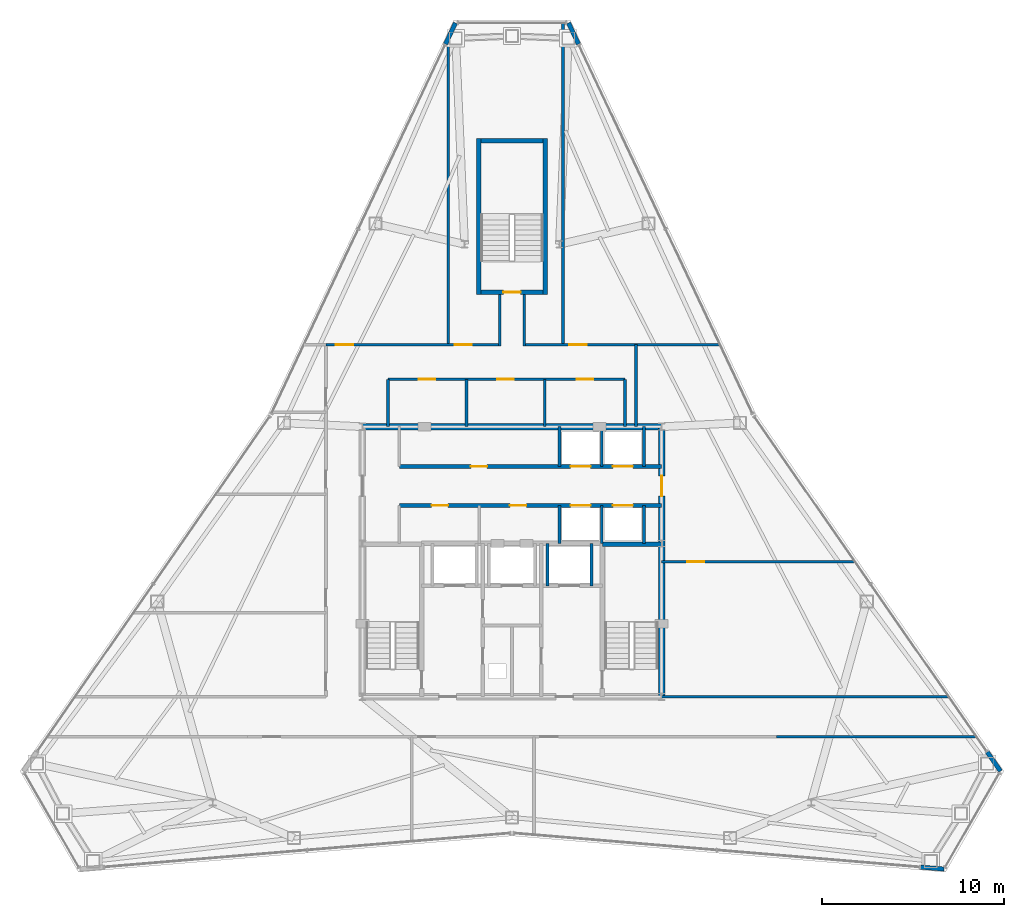
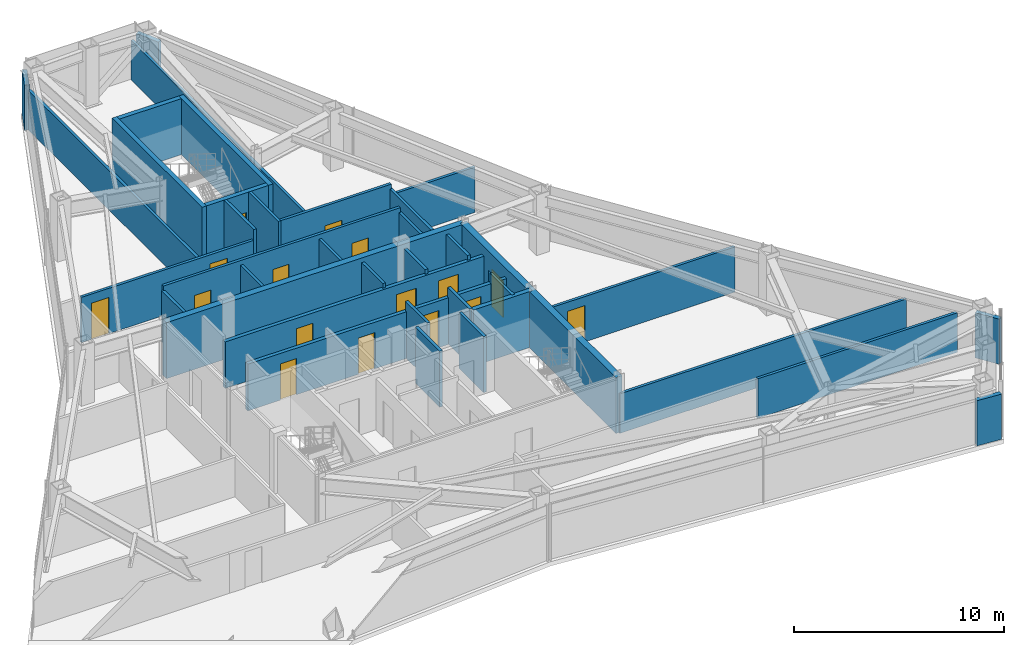
# One storey, part 10 of 12: 37 walls, 16 doors, 16 openings.
"""IFC4 building model written with IfcOpenShell, lengths in metres."""

import ifcopenshell
import ifcopenshell.guid

model = None  # the IFC model being written
_history = None  # IfcOwnerHistory: only IFC2X3 demands one
_inside = {}  # id of a spatial element -> (the spatial element, [elements in it])
_under = {}  # id of a project, library or spatial element -> (it, [spatial elements below it])
_declared = {}  # id of a project -> (the project, [libraries it declares])
_typed = {}  # id of a type object -> (the type object, [elements of that type])
_made_of = {}  # id of a material, layer set ... -> (it, [elements and type objects made of it])


def new_model(schema):
    """Start an empty IFC model of exactly this schema.

    Asked for "IFC4X3", IfcOpenShell would pick the latest addendum, in which some entities
    have other attributes; the version numbers below select the first issue.
    IFC2X3 requires an IfcOwnerHistory on every rooted entity: one is made here for all.
    """
    global model, _history
    if schema == "IFC4X3":
        model = ifcopenshell.file(schema_version=(4, 3, 0, 0))
    else:
        model = ifcopenshell.file(schema=schema)
    _inside.clear()
    _under.clear()
    _declared.clear()
    _typed.clear()
    _made_of.clear()
    _history = None
    if model.schema == "IFC2X3":
        org = make("IfcOrganization", Name="unknown")
        user = make(
            "IfcPersonAndOrganization",
            ThePerson=make("IfcPerson", FamilyName="unknown"),
            TheOrganization=org,
        )
        app = make(
            "IfcApplication",
            ApplicationDeveloper=org,
            Version="unknown",
            ApplicationFullName="unknown",
            ApplicationIdentifier="unknown",
        )
        _history = make(
            "IfcOwnerHistory",
            OwningUser=user,
            OwningApplication=app,
            ChangeAction="ADDED",
            CreationDate=0,
        )
    return model


def make(cls, **values):
    """One entity of the class cls with the attributes given. An attribute that is None is left unset."""
    return model.create_entity(
        cls, **{name: value for name, value in values.items() if value is not None}
    )


def rooted(cls, **values):
    """An entity with a GlobalId (a new one), such as an element, a storey or a relation."""
    return make(cls, GlobalId=ifcopenshell.guid.new(), OwnerHistory=_history, **values)


def si_unit(unit_type, name, prefix=None):
    """IfcSIUnit, for example si_unit("LENGTHUNIT", "METRE", prefix="MILLI")."""
    return make("IfcSIUnit", UnitType=unit_type, Prefix=prefix, Name=name)


def assignment(units):
    """IfcUnitAssignment: the units of a project."""
    return None if units is None else make("IfcUnitAssignment", Units=units)


def point(xyz):
    """IfcCartesianPoint."""
    return None if xyz is None else make("IfcCartesianPoint", Coordinates=xyz)


def direction(xyz):
    """IfcDirection."""
    return None if xyz is None else make("IfcDirection", DirectionRatios=xyz)


def frame(location, z_axis=None, x_axis=None):
    """IfcAxis2Placement3D, a coordinate frame: its origin and axes. An axis left out is left unset."""
    return make(
        "IfcAxis2Placement3D",
        Location=point(location),
        Axis=direction(z_axis),
        RefDirection=direction(x_axis),
    )


def frame_2d(location, x_axis=None):
    """IfcAxis2Placement2D, a coordinate frame in the plane: its origin and x axis."""
    return make(
        "IfcAxis2Placement2D", Location=point(location), RefDirection=direction(x_axis)
    )


def origin():
    """The frame at (0, 0, 0) with its axes left unset."""
    return frame((0.0, 0.0, 0.0))


def place(relative_to, where):
    """IfcLocalPlacement: puts the frame where relative to a parent placement (None: the world)."""
    return make(
        "IfcLocalPlacement", PlacementRelTo=relative_to, RelativePlacement=where
    )


def context(
    kind, dimensions, precision=None, world=None, true_north=None, identifier=None
):
    """IfcGeometricRepresentationContext, for example the 3D "Model" context."""
    return make(
        "IfcGeometricRepresentationContext",
        ContextIdentifier=identifier,
        ContextType=kind,
        CoordinateSpaceDimension=dimensions,
        Precision=precision,
        WorldCoordinateSystem=world,
        TrueNorth=true_north,
    )


def subcontext(parent, identifier, kind, view, scale=None):
    """IfcGeometricRepresentationSubContext, for example "Body" below "Model"."""
    return make(
        "IfcGeometricRepresentationSubContext",
        ContextIdentifier=identifier,
        ContextType=kind,
        ParentContext=parent,
        TargetScale=scale,
        TargetView=view,
    )


def project(units=None, contexts=None):
    """IfcProject with its units and contexts."""
    return rooted(
        "IfcProject",
        Name="project",
        RepresentationContexts=contexts,
        UnitsInContext=assignment(units),
    )


def spatial(cls, under=None, at=None, **own):
    """A site, building, storey or space (cls), placed at a placement, below another one or the project."""
    s = rooted(cls, ObjectPlacement=at, **own)
    if under is not None:
        _under.setdefault(under.id(), (under, []))[1].append(s)
    return s


def profile(cls, at=None, kind="AREA", **sizes):
    """A parametric profile (cls). Its sizes go by their IFC names, for example OverallWidth=200.0."""
    return make(cls, ProfileType=kind, Position=at, **sizes)


def rectangle(**sizes):
    """IfcRectangleProfileDef."""
    return profile("IfcRectangleProfileDef", **sizes)


def extrude(swept, where, along, depth):
    """IfcExtrudedAreaSolid: the profile swept, set in the frame where, extruded along a direction by depth."""
    return make(
        "IfcExtrudedAreaSolid",
        SweptArea=swept,
        Position=where,
        ExtrudedDirection=direction(along),
        Depth=depth,
    )


def shape(context_of_items, identifier, shape_type, items):
    """IfcShapeRepresentation: the items that make up one representation, for example the "Body"."""
    return make(
        "IfcShapeRepresentation",
        ContextOfItems=context_of_items,
        RepresentationIdentifier=identifier,
        RepresentationType=shape_type,
        Items=items,
    )


def material(Name=None, Category=None):
    """IfcMaterial."""
    return make("IfcMaterial", Name=Name, Category=Category)


def layer(
    of_material, thickness, ventilated=None, Name=None, Category=None, Priority=None
):
    """IfcMaterialLayer: one layer of a wall or slab, of a material (None: an air gap)."""
    return make(
        "IfcMaterialLayer",
        Material=of_material,
        LayerThickness=thickness,
        IsVentilated=ventilated,
        Name=Name,
        Category=Category,
        Priority=Priority,
    )


def layer_set(layers, Name=None):
    """IfcMaterialLayerSet."""
    return make("IfcMaterialLayerSet", MaterialLayers=layers, LayerSetName=Name)


def made_of(thing, what):
    """Note that an element or type object is made of a material, layer set ...; save() writes the relation."""
    if what is not None:
        _made_of.setdefault(what.id(), (what, []))[1].append(thing)
    return thing


def type_object(cls, material=None, **own):
    """A type object (cls), such as IfcWallType, which elements share."""
    return made_of(rooted(cls, **own), material)


def element(
    cls,
    number,
    at=None,
    inside=None,
    cuts=None,
    type_object=None,
    material=None,
    context=None,
    identifier="Body",
    shape_type=None,
    held_by="IfcProductDefinitionShape",
    body=None,
    shapes=None,
    **own,
):
    """One element of the class cls, such as IfcWall. Its Tag is "e" and its number.

    at: its placement. inside: the storey or other place that contains it. cuts: it is an
    opening in that element (IfcRelVoidsElement). A single representation is given by context,
    identifier, shape_type and body (its items); several are given by shapes. held_by: the class
    of the entity that holds the representations. save() writes the other relations.
    """
    e = rooted(cls, Tag="e%d" % number, ObjectPlacement=at, **own)
    if body is not None:
        shapes = [shape(context, identifier, shape_type, body)]
    if shapes is not None:
        e.Representation = make(held_by, Representations=shapes)
    if inside is not None:
        _inside.setdefault(inside.id(), (inside, []))[1].append(e)
    if cuts is not None:
        rooted(
            "IfcRelVoidsElement", RelatingBuildingElement=cuts, RelatedOpeningElement=e
        )
    if type_object is not None:
        _typed.setdefault(type_object.id(), (type_object, []))[1].append(e)
    return made_of(e, material)


def fill(opening, filler):
    """IfcRelFillsElement: the door or window that sits in an opening."""
    return rooted(
        "IfcRelFillsElement",
        RelatingOpeningElement=opening,
        RelatedBuildingElement=filler,
    )


def aggregate(whole, parts):
    """IfcRelAggregates: a whole, such as a stair, and the parts it consists of."""
    return rooted("IfcRelAggregates", RelatingObject=whole, RelatedObjects=parts)


def save(model, path):
    """Write the relations noted so far, then the file.

    IfcRelAggregates (storeys below a building ...), IfcRelContainedInSpatialStructure (elements
    in a storey), IfcRelDefinesByType, IfcRelAssociatesMaterial and IfcRelDeclares: one each for
    every whole, place, type object, material and project.
    """
    for whole, parts in _under.values():
        aggregate(whole, parts)
    for where, things in _inside.values():
        rooted(
            "IfcRelContainedInSpatialStructure",
            RelatedElements=things,
            RelatingStructure=where,
        )
    for kind, things in _typed.values():
        rooted("IfcRelDefinesByType", RelatedObjects=things, RelatingType=kind)
    for what, things in _made_of.values():
        rooted("IfcRelAssociatesMaterial", RelatedObjects=things, RelatingMaterial=what)
    for by, libraries in _declared.values():
        rooted("IfcRelDeclares", RelatingContext=by, RelatedDefinitions=libraries)
    model.write(path)


model = new_model("IFC4")

# Units and contexts
model_context = context("Model", 3, precision=1e-05, world=origin(), true_north=direction((0.0, 1.0)))
body_context = subcontext(model_context, "Body", "Model", "MODEL_VIEW")
ifc_project = project(units=[si_unit("LENGTHUNIT", "METRE"), si_unit("AREAUNIT", "SQUARE_METRE"), si_unit("VOLUMEUNIT", "CUBIC_METRE"), si_unit("PLANEANGLEUNIT", "RADIAN"), si_unit("MASSUNIT", "GRAM", prefix="KILO")], contexts=[model_context])

# Site, building, storey
site_placement = place(None, origin())
site = spatial("IfcSite", under=ifc_project, at=site_placement, CompositionType="ELEMENT")
building_placement = place(site_placement, origin())
building = spatial("IfcBuilding", under=site, at=building_placement, Name="Varakhsha Concourse Tower", CompositionType="ELEMENT")
storey_placement = place(building_placement, frame((0.0, 0.0, 229.39990234375)))
storey = spatial("IfcBuildingStorey", under=building, at=storey_placement, Name="L65", CompositionType="ELEMENT", Elevation=229.39990234375)

# Wall
ifc_material_1 = material(Name="Concrete fc 65 MPa", Category="concrete")
ifc_layer_1 = layer(ifc_material_1, 0.35009765625, Name="WL-CORE-350")
ifc_layer_set_1 = layer_set([ifc_layer_1], Name="Concrete fc 65 MPa")
wall_type_1 = type_object("IfcWallType", Name="WL-CORE-350", PredefinedType="SHEAR", material=ifc_layer_set_1)
wall_1_placement = place(storey_placement, frame((31.800048828125, 31.199951171875, 0.0), z_axis=(0.0, 0.0, 1.0), x_axis=(1.0, 0.0, 0.0)))
element("IfcWall", 1, at=wall_1_placement, inside=storey, type_object=wall_type_1, Name="L65 Wall CWALL-N-L65", PredefinedType="SHEAR", context=body_context, shape_type="SweptSolid", body=[
    extrude(rectangle(XDim=16.39990234375, YDim=0.35009765625, at=frame_2d((8.199951171875, 0.0))), origin(), (0.0, 0.0, 1.0), 3.25),
])

# Wall, opening, door
wall_2_placement = place(storey_placement, frame((48.199951171875, 16.39990234375, 0.0), z_axis=(0.0, 0.0, 1.0), x_axis=(0.0, 1.0, 0.0)))
wall_2 = element("IfcWall", 2, at=wall_2_placement, inside=storey, type_object=wall_type_1, Name="L65 Wall CWALL-E-L65", PredefinedType="SHEAR", context=body_context, shape_type="SweptSolid", body=[
    extrude(rectangle(XDim=14.800048828125, YDim=0.35009765625, at=frame_2d((7.39990234375, 0.0))), origin(), (0.0, 0.0, 1.0), 3.25),
])
opening_1_placement = place(wall_2_placement, frame((11.0, 0.0, 0.0)))
opening_1 = element("IfcOpeningElement", 3, at=opening_1_placement, cuts=wall_2, Name="Opening DL-01", PredefinedType="OPENING", context=body_context, shape_type="SweptSolid", body=[
    extrude(rectangle(XDim=1.10009765625, YDim=2.14990234375, at=frame_2d((0.550048828125, 1.074951171875))), frame((0.0, 0.18505859375, 0.0), z_axis=(0.0, -1.0, 0.0), x_axis=(1.0, 0.0, 0.0)), (0.0, 0.0, 1.0), 0.3701171875),
])
ifc_material_2 = material(Name="Anodised Bronze Architectural Aluminium AA 6063-T6", Category="aluminium")
door_type_1 = type_object("IfcDoorType", Name="DR-LOB-1100", OperationType="NOTDEFINED", PredefinedType="DOOR", material=ifc_material_2)
door_1_placement = place(opening_1_placement, origin())
door_1 = element("IfcDoor", 4, at=door_1_placement, inside=storey, type_object=door_type_1, Name="L65 Lift Lobby East Concourse Door", OperationType="SINGLE_SWING_RIGHT", OverallHeight=2.14990234375, OverallWidth=1.10009765625, PredefinedType="DOOR", context=body_context, shape_type="SweptSolid", body=[
    extrude(rectangle(XDim=1.10009765625, YDim=2.14990234375, at=frame_2d((0.550048828125, 1.074951171875))), frame((0.0, 0.02490234375, 0.0), z_axis=(0.0, -1.0, 0.0), x_axis=(1.0, 0.0, 0.0)), (0.0, 0.0, 1.0), 0.050048828125),
])
fill(opening_1, door_1)

# Walls
ifc_material_3 = material(Name="Concrete fc 45 MPa", Category="concrete")
ifc_layer_2 = layer(ifc_material_3, 0.239990234375, Name="WL-EXT-CRN-240")
ifc_layer_set_2 = layer_set([ifc_layer_2], Name="Concrete fc 45 MPa")
wall_type_2 = type_object("IfcWallType", Name="WL-EXT-CRN-240", PredefinedType="SHEAR", material=ifc_layer_set_2)
wall_3_placement = place(storey_placement, frame((36.899658203125, 53.333251953125, 0.0), z_axis=(0.0, 0.0, 1.0), x_axis=(-0.426209891413, -0.904624302383, 0.0)))
element("IfcWall", 5, at=wall_3_placement, inside=storey, type_object=wall_type_2, Name="L65 Wind-Corner Shoulder Wall F2", PredefinedType="SHEAR", context=body_context, shape_type="SweptSolid", body=[
    extrude(rectangle(XDim=1.281494140625, YDim=0.239990234375, at=frame_2d((0.640625, 0.0))), origin(), (0.0, 0.0, 1.0), 2.623046875),
])
wall_4_placement = place(storey_placement, frame((62.403076171875, 7.054931640625, 0.0), z_axis=(0.0, 0.0, 1.0), x_axis=(0.996527336769, -0.083266242097, 0.0)))
element("IfcWall", 6, at=wall_4_placement, inside=storey, type_object=wall_type_2, Name="L65 Wind-Corner Shoulder Wall F6", PredefinedType="SHEAR", context=body_context, shape_type="SweptSolid", body=[
    extrude(rectangle(XDim=1.28125, YDim=0.239990234375, at=frame_2d((0.640625, 0.0))), origin(), (0.0, 0.0, 1.0), 2.623046875),
])
wall_5_placement = place(storey_placement, frame((66.780517578125, 12.318359375, 0.0), z_axis=(0.0, 0.0, 1.0), x_axis=(-0.5703386897, 0.821409629254, 0.0)))
element("IfcWall", 7, at=wall_5_placement, inside=storey, type_object=wall_type_2, Name="L65 Wind-Corner Shoulder Wall F8", PredefinedType="SHEAR", context=body_context, shape_type="SweptSolid", body=[
    extrude(rectangle(XDim=1.28173828125, YDim=0.239990234375, at=frame_2d((0.640869140625, 0.0))), origin(), (0.0, 0.0, 1.0), 2.623046875),
])
wall_6_placement = place(storey_placement, frame((43.646484375, 52.174072265625, 0.0), z_axis=(0.0, 0.0, 1.0), x_axis=(-0.426209891413, 0.904624302383, 0.0)))
element("IfcWall", 8, at=wall_6_placement, inside=storey, type_object=wall_type_2, Name="L65 Wind-Corner Shoulder Wall F9", PredefinedType="SHEAR", context=body_context, shape_type="SweptSolid", body=[
    extrude(rectangle(XDim=1.281494140625, YDim=0.239990234375, at=frame_2d((0.640625, 0.0))), origin(), (0.0, 0.0, 1.0), 2.623046875),
])

# Wall, openings, doors
ifc_material_4 = material(Name="Fire-Rated Type X Gypsum Partition Assembly", Category="gypsum")
ifc_layer_3 = layer(ifc_material_4, 0.14990234375, Name="WL-PART-150")
ifc_layer_set_3 = layer_set([ifc_layer_3], Name="Fire-Rated Type X Gypsum Partition Assembly")
wall_type_3 = type_object("IfcWallType", Name="WL-PART-150", PredefinedType="PARTITIONING", material=ifc_layer_set_3)
wall_7_placement = place(storey_placement, frame((33.199951171875, 33.800048828125, 0.0), z_axis=(0.0, 0.0, 1.0), x_axis=(1.0, 0.0, 0.0)))
wall_7 = element("IfcWall", 9, at=wall_7_placement, inside=storey, type_object=wall_type_3, Name="L65 Wall NBOH-N-L65", PredefinedType="PARTITIONING", context=body_context, shape_type="SweptSolid", body=[
    extrude(rectangle(XDim=13.0, YDim=0.14990234375, at=frame_2d((6.5, 0.0))), origin(), (0.0, 0.0, 1.0), 3.25),
])
opening_2_placement = place(wall_7_placement, frame((1.699951171875, 0.0, 0.0)))
opening_2 = element("IfcOpeningElement", 10, at=opening_2_placement, cuts=wall_7, Name="Opening DF-06", PredefinedType="OPENING", context=body_context, shape_type="SweptSolid", body=[
    extrude(rectangle(XDim=0.89990234375, YDim=2.10009765625, at=frame_2d((0.449951171875, 1.050048828125))), frame((0.0, 0.0849609375, 0.0), z_axis=(0.0, -1.0, 0.0), x_axis=(1.0, 0.0, 0.0)), (0.0, 0.0, 1.0), 0.169921875),
])
opening_3_placement = place(wall_7_placement, frame((6.0, 0.0, 0.0)))
opening_3 = element("IfcOpeningElement", 11, at=opening_3_placement, cuts=wall_7, Name="Opening DF-06", PredefinedType="OPENING", context=body_context, shape_type="SweptSolid", body=[
    extrude(rectangle(XDim=0.89990234375, YDim=2.10009765625, at=frame_2d((0.449951171875, 1.050048828125))), frame((0.0, 0.0849609375, 0.0), z_axis=(0.0, -1.0, 0.0), x_axis=(1.0, 0.0, 0.0)), (0.0, 0.0, 1.0), 0.169921875),
])
opening_4_placement = place(wall_7_placement, frame((10.35009765625, 0.0, 0.0)))
opening_4 = element("IfcOpeningElement", 12, at=opening_4_placement, cuts=wall_7, Name="Opening DF-06", PredefinedType="OPENING", context=body_context, shape_type="SweptSolid", body=[
    extrude(rectangle(XDim=0.89990234375, YDim=2.10009765625, at=frame_2d((0.449951171875, 1.050048828125))), frame((0.0, 0.0849609375, 0.0), z_axis=(0.0, -1.0, 0.0), x_axis=(1.0, 0.0, 0.0)), (0.0, 0.0, 1.0), 0.169921875),
])
ifc_material_5 = material(Name="Hollow Galvanised Steel Fire Door Assembly", Category="steel")
door_type_2 = type_object("IfcDoorType", Name="DR-FD60-900", OperationType="NOTDEFINED", PredefinedType="DOOR", material=ifc_material_5)
door_2_placement = place(opening_2_placement, origin())
door_2 = element("IfcDoor", 13, at=door_2_placement, inside=storey, type_object=door_type_2, Name="L65 Men Restroom WC Door", OperationType="SINGLE_SWING_LEFT", OverallHeight=2.10009765625, OverallWidth=0.89990234375, PredefinedType="DOOR", context=body_context, shape_type="SweptSolid", body=[
    extrude(rectangle(XDim=0.89990234375, YDim=2.10009765625, at=frame_2d((0.449951171875, 1.050048828125))), frame((0.0, 0.02490234375, 0.0), z_axis=(0.0, -1.0, 0.0), x_axis=(1.0, 0.0, 0.0)), (0.0, 0.0, 1.0), 0.050048828125),
])
fill(opening_2, door_2)
door_3_placement = place(opening_3_placement, origin())
door_3 = element("IfcDoor", 14, at=door_3_placement, inside=storey, type_object=door_type_2, Name="L65 Women Restroom WC Door", OperationType="SINGLE_SWING_RIGHT", OverallHeight=2.10009765625, OverallWidth=0.89990234375, PredefinedType="DOOR", context=body_context, shape_type="SweptSolid", body=[
    extrude(rectangle(XDim=0.89990234375, YDim=2.10009765625, at=frame_2d((0.449951171875, 1.050048828125))), frame((0.0, 0.02490234375, 0.0), z_axis=(0.0, -1.0, 0.0), x_axis=(1.0, 0.0, 0.0)), (0.0, 0.0, 1.0), 0.050048828125),
])
fill(opening_3, door_3)
door_4_placement = place(opening_4_placement, origin())
door_4 = element("IfcDoor", 15, at=door_4_placement, inside=storey, type_object=door_type_2, Name="L65 Accessible WC Door", OperationType="SINGLE_SWING_LEFT", OverallHeight=2.10009765625, OverallWidth=0.89990234375, PredefinedType="DOOR", context=body_context, shape_type="SweptSolid", body=[
    extrude(rectangle(XDim=0.89990234375, YDim=2.10009765625, at=frame_2d((0.449951171875, 1.050048828125))), frame((0.0, 0.02490234375, 0.0), z_axis=(0.0, -1.0, 0.0), x_axis=(1.0, 0.0, 0.0)), (0.0, 0.0, 1.0), 0.050048828125),
])
fill(opening_4, door_4)

# Walls
for number, where, z_axis, x_axis, name in (
    (16, (33.199951171875, 31.199951171875, 0.0), (0.0, 0.0, 1.0), (0.0, 1.0, 0.0), "L65 Wall NBOH-W-L65"),
    (17, (46.199951171875, 31.199951171875, 0.0), (0.0, 0.0, 1.0), (0.0, 1.0, 0.0), "L65 Wall NBOH-E-L65"),
    (18, (37.5, 31.199951171875, 0.0), (0.0, 0.0, 1.0), (0.0, 1.0, 0.0), "L65 Wall NBOH-D1-L65"),
    (19, (41.800048828125, 31.199951171875, 0.0), (0.0, 0.0, 1.0), (0.0, 1.0, 0.0), "L65 Wall NBOH-D2-L65"),
):
    element("IfcWall", number, at=place(storey_placement, frame(where, z_axis=z_axis, x_axis=x_axis)), inside=storey, type_object=wall_type_3, Name=name, PredefinedType="PARTITIONING", context=body_context, shape_type="SweptSolid", body=[
        extrude(rectangle(XDim=2.60009765625, YDim=0.14990234375, at=frame_2d((1.300048828125, 0.0))), origin(), (0.0, 0.0, 1.0), 2.97802734375),
    ])
wall_8_placement = place(storey_placement, frame((54.5, 14.199951171875, 0.0), z_axis=(0.0, 0.0, 1.0), x_axis=(1.0, 0.0, 0.0)))
element("IfcWall", 20, at=wall_8_placement, inside=storey, type_object=wall_type_3, Name="L65 Wall CRW-SGAL-SE-L65", PredefinedType="PARTITIONING", context=body_context, shape_type="SweptSolid", body=[
    extrude(rectangle(XDim=10.9677734375, YDim=0.14990234375, at=frame_2d((5.48388671875, 0.0))), origin(), (0.0, 0.0, 1.0), 2.2919921875),
])
wall_9_placement = place(storey_placement, frame((48.199951171875, 16.39990234375, 0.0), z_axis=(0.0, 0.0, 1.0), x_axis=(1.0, 0.0, 0.0)))
element("IfcWall", 21, at=wall_9_placement, inside=storey, type_object=wall_type_3, Name="L65 Wall CRW-SGAL-NE-L65", PredefinedType="PARTITIONING", context=body_context, shape_type="SweptSolid", body=[
    extrude(rectangle(XDim=15.740234375, YDim=0.14990234375, at=frame_2d((7.8701171875, 0.0))), origin(), (0.0, 0.0, 1.0), 2.2919921875),
])

# Wall, openings, doors
wall_10_placement = place(storey_placement, frame((29.800048828125, 35.699951171875, 0.0), z_axis=(0.0, 0.0, 1.0), x_axis=(1.0, 0.0, 0.0)))
wall_10 = element("IfcWall", 22, at=wall_10_placement, inside=storey, type_object=wall_type_3, Name="L65 Wall CRW-N-L65", PredefinedType="PARTITIONING", context=body_context, shape_type="SweptSolid", body=[
    extrude(rectangle(XDim=9.449951171875, YDim=0.14990234375, at=frame_2d((4.72509765625, 0.0))), origin(), (0.0, 0.0, 1.0), 2.628173828125),
])
opening_5_placement = place(wall_10_placement, frame((0.550048828125, 0.0, 0.0)))
opening_5 = element("IfcOpeningElement", 23, at=opening_5_placement, cuts=wall_10, Name="Opening DF-05", PredefinedType="OPENING", context=body_context, shape_type="SweptSolid", body=[
    extrude(rectangle(XDim=0.949951171875, YDim=2.10009765625, at=frame_2d((0.47509765625, 1.050048828125))), frame((0.0, 0.0849609375, 0.0), z_axis=(0.0, -1.0, 0.0), x_axis=(1.0, 0.0, 0.0)), (0.0, 0.0, 1.0), 0.169921875),
])
opening_6_placement = place(wall_10_placement, frame((7.050048828125, 0.0, 0.0)))
opening_6 = element("IfcOpeningElement", 24, at=opening_6_placement, cuts=wall_10, Name="Opening DF-05", PredefinedType="OPENING", context=body_context, shape_type="SweptSolid", body=[
    extrude(rectangle(XDim=0.949951171875, YDim=2.10009765625, at=frame_2d((0.47509765625, 1.050048828125))), frame((0.0, 0.0849609375, 0.0), z_axis=(0.0, -1.0, 0.0), x_axis=(1.0, 0.0, 0.0)), (0.0, 0.0, 1.0), 0.169921875),
])
door_type_3 = type_object("IfcDoorType", Name="DR-FD60-950", OperationType="NOTDEFINED", PredefinedType="DOOR", material=ifc_material_5)
door_5_placement = place(opening_5_placement, origin())
door_5 = element("IfcDoor", 25, at=door_5_placement, inside=storey, type_object=door_type_3, Name="L65 Mountain View Project Pitch Room L65-N1 Door", OperationType="SINGLE_SWING_RIGHT", OverallHeight=2.10009765625, OverallWidth=0.949951171875, PredefinedType="DOOR", context=body_context, shape_type="SweptSolid", body=[
    extrude(rectangle(XDim=0.949951171875, YDim=2.10009765625, at=frame_2d((0.47509765625, 1.050048828125))), frame((0.0, 0.02490234375, 0.0), z_axis=(0.0, -1.0, 0.0), x_axis=(1.0, 0.0, 0.0)), (0.0, 0.0, 1.0), 0.050048828125),
])
fill(opening_5, door_5)
door_6_placement = place(opening_6_placement, origin())
door_6 = element("IfcDoor", 26, at=door_6_placement, inside=storey, type_object=door_type_3, Name="L65 North Hot-Desk Studio Neighborhood L65-N2 Door", OperationType="SINGLE_SWING_LEFT", OverallHeight=2.10009765625, OverallWidth=0.949951171875, PredefinedType="DOOR", context=body_context, shape_type="SweptSolid", body=[
    extrude(rectangle(XDim=0.949951171875, YDim=2.10009765625, at=frame_2d((0.47509765625, 1.050048828125))), frame((0.0, 0.02490234375, 0.0), z_axis=(0.0, -1.0, 0.0), x_axis=(1.0, 0.0, 0.0)), (0.0, 0.0, 1.0), 0.050048828125),
])
fill(opening_6, door_6)

# Wall, opening, door
wall_11_placement = place(storey_placement, frame((40.75, 35.699951171875, 0.0), z_axis=(0.0, 0.0, 1.0), x_axis=(1.0, 0.0, 0.0)))
wall_11 = element("IfcWall", 27, at=wall_11_placement, inside=storey, type_object=wall_type_3, Name="L65 Wall CRW-N-L65-B", PredefinedType="PARTITIONING", context=body_context, shape_type="SweptSolid", body=[
    extrude(rectangle(XDim=6.050048828125, YDim=0.14990234375, at=frame_2d((3.02490234375, 0.0))), origin(), (0.0, 0.0, 1.0), 3.25),
])
opening_7_placement = place(wall_11_placement, frame((2.39990234375, 0.0, 0.0)))
opening_7 = element("IfcOpeningElement", 28, at=opening_7_placement, cuts=wall_11, Name="Opening DF-05", PredefinedType="OPENING", context=body_context, shape_type="SweptSolid", body=[
    extrude(rectangle(XDim=0.949951171875, YDim=2.10009765625, at=frame_2d((0.47509765625, 1.050048828125))), frame((0.0, 0.0849609375, 0.0), z_axis=(0.0, -1.0, 0.0), x_axis=(1.0, 0.0, 0.0)), (0.0, 0.0, 1.0), 0.169921875),
])
door_7_placement = place(opening_7_placement, origin())
door_7 = element("IfcDoor", 29, at=door_7_placement, inside=storey, type_object=door_type_3, Name="L65 North Hot-Desk Studio Neighborhood L65-N3 Door", OperationType="SINGLE_SWING_RIGHT", OverallHeight=2.10009765625, OverallWidth=0.949951171875, PredefinedType="DOOR", context=body_context, shape_type="SweptSolid", body=[
    extrude(rectangle(XDim=0.949951171875, YDim=2.10009765625, at=frame_2d((0.47509765625, 1.050048828125))), frame((0.0, 0.02490234375, 0.0), z_axis=(0.0, -1.0, 0.0), x_axis=(1.0, 0.0, 0.0)), (0.0, 0.0, 1.0), 0.050048828125),
])
fill(opening_7, door_7)

# Walls
wall_12_placement = place(storey_placement, frame((46.800048828125, 31.199951171875, 0.0), z_axis=(0.0, 0.0, 1.0), x_axis=(0.0, 1.0, 0.0)))
element("IfcWall", 30, at=wall_12_placement, inside=storey, type_object=wall_type_3, Name="L65 Wall CRW-NE-L65", PredefinedType="PARTITIONING", context=body_context, shape_type="SweptSolid", body=[
    extrude(rectangle(XDim=4.5, YDim=0.14990234375, at=frame_2d((2.25, 0.0))), origin(), (0.0, 0.0, 1.0), 2.97802734375),
])
wall_13_placement = place(storey_placement, frame((46.800048828125, 35.699951171875, 0.0), z_axis=(0.0, 0.0, 1.0), x_axis=(1.0, 0.0, 0.0)))
element("IfcWall", 31, at=wall_13_placement, inside=storey, type_object=wall_type_3, Name="L65 Wall ODIV-EBN-L65", PredefinedType="PARTITIONING", context=body_context, shape_type="SweptSolid", body=[
    extrude(rectangle(XDim=4.601806640625, YDim=0.14990234375, at=frame_2d((2.30078125, 0.0))), origin(), (0.0, 0.0, 1.0), 2.628173828125),
])

# Wall, opening, door
wall_14_placement = place(storey_placement, frame((48.199951171875, 23.800048828125, 0.0), z_axis=(0.0, 0.0, 1.0), x_axis=(1.0, 0.0, 0.0)))
wall_14 = element("IfcWall", 32, at=wall_14_placement, inside=storey, type_object=wall_type_3, Name="L65 Wall ODIV-E1-L65", PredefinedType="PARTITIONING", context=body_context, shape_type="SweptSolid", body=[
    extrude(rectangle(XDim=10.601806640625, YDim=0.14990234375, at=frame_2d((5.30078125, 0.0))), origin(), (0.0, 0.0, 1.0), 2.628173828125),
])
opening_8_placement = place(wall_14_placement, frame((1.39990234375, 0.0, 0.0)))
opening_8 = element("IfcOpeningElement", 33, at=opening_8_placement, cuts=wall_14, Name="Opening DF-05", PredefinedType="OPENING", context=body_context, shape_type="SweptSolid", body=[
    extrude(rectangle(XDim=0.949951171875, YDim=2.10009765625, at=frame_2d((0.47509765625, 1.050048828125))), frame((0.0, 0.0849609375, 0.0), z_axis=(0.0, -1.0, 0.0), x_axis=(1.0, 0.0, 0.0)), (0.0, 0.0, 1.0), 0.169921875),
])
door_8_placement = place(opening_8_placement, origin())
door_8 = element("IfcDoor", 34, at=door_8_placement, inside=storey, type_object=door_type_3, Name="L65 East Suite Interconnect Door 1", OperationType="SINGLE_SWING_LEFT", OverallHeight=2.10009765625, OverallWidth=0.949951171875, PredefinedType="DOOR", context=body_context, shape_type="SweptSolid", body=[
    extrude(rectangle(XDim=0.949951171875, YDim=2.10009765625, at=frame_2d((0.47509765625, 1.050048828125))), frame((0.0, 0.02490234375, 0.0), z_axis=(0.0, -1.0, 0.0), x_axis=(1.0, 0.0, 0.0)), (0.0, 0.0, 1.0), 0.050048828125),
])
fill(opening_8, door_8)

# Walls
wall_15_placement = place(storey_placement, frame((36.5, 35.699951171875, 0.0), z_axis=(0.0, 0.0, 1.0), x_axis=(0.0, 1.0, 0.0)))
element("IfcWall", 35, at=wall_15_placement, inside=storey, type_object=wall_type_3, Name="L65 Wall ODIV-N1-L65", PredefinedType="PARTITIONING", context=body_context, shape_type="SweptSolid", body=[
    extrude(rectangle(XDim=16.7734375, YDim=0.14990234375, at=frame_2d((8.38671875, 0.0))), origin(), (0.0, 0.0, 1.0), 2.2919921875),
])
wall_16_placement = place(storey_placement, frame((42.800048828125, 35.699951171875, 0.0), z_axis=(0.0, 0.0, 1.0), x_axis=(0.0, 1.0, 0.0)))
element("IfcWall", 36, at=wall_16_placement, inside=storey, type_object=wall_type_3, Name="L65 Wall ODIV-N2-L65", PredefinedType="PARTITIONING", context=body_context, shape_type="SweptSolid", body=[
    extrude(rectangle(XDim=17.632568359375, YDim=0.14990234375, at=frame_2d((8.81640625, 0.0))), origin(), (0.0, 0.0, 1.0), 2.2919921875),
])
for number, where, z_axis, x_axis, name in (
    (37, (39.324951171875, 35.625, 0.0), (0.0, 0.0, 1.0), (0.0, 1.0, 0.0), "L65 Wall STUB-W-L65"),
    (38, (40.675048828125, 35.625, 0.0), (0.0, 0.0, 1.0), (0.0, 1.0, 0.0), "L65 Wall STUB-E-L65"),
):
    element("IfcWall", number, at=place(storey_placement, frame(where, z_axis=z_axis, x_axis=x_axis)), inside=storey, type_object=wall_type_3, Name=name, PredefinedType="PARTITIONING", context=body_context, shape_type="SweptSolid", body=[
        extrude(rectangle(XDim=2.824951171875, YDim=0.14990234375, at=frame_2d((1.41259765625, 0.0))), origin(), (0.0, 0.0, 1.0), 3.25),
    ])
ifc_layer_4 = layer(ifc_material_4, 0.199951171875, Name="WL-SHAFT-220")
ifc_layer_set_4 = layer_set([ifc_layer_4], Name="Fire-Rated Type X Gypsum Partition Assembly")
wall_type_4 = type_object("IfcWallType", Name="WL-SHAFT-220", PredefinedType="SOLIDWALL", material=ifc_layer_set_4)
for number, where, z_axis, x_axis, name in (
    (39, (41.949951171875, 22.47998046875, 0.0), (0.0, 0.0, 1.0), (0.0, 1.0, 0.0), "L65 Wall SHW-FFL-2-W-L65"),
    (40, (44.35009765625, 22.47998046875, 0.0), (0.0, 0.0, 1.0), (0.0, 1.0, 0.0), "L65 Wall SHW-FFL-2-E-L65"),
):
    element("IfcWall", number, at=place(storey_placement, frame(where, z_axis=z_axis, x_axis=x_axis)), inside=storey, type_object=wall_type_4, Name=name, PredefinedType="SOLIDWALL", context=body_context, shape_type="SweptSolid", body=[
        extrude(rectangle(XDim=2.320068359375, YDim=0.159912109375, at=frame_2d((1.16015625, 0.0))), origin(), (0.0, 0.0, 1.0), 3.25),
    ])

# Wall, openings, doors
wall_17_placement = place(storey_placement, frame((33.820068359375, 29.02001953125, 0.0), z_axis=(0.0, 0.0, 1.0), x_axis=(1.0, 0.0, 0.0)))
wall_17 = element("IfcWall", 41, at=wall_17_placement, inside=storey, type_object=wall_type_4, Name="L65 Wall PLW-N-L65", PredefinedType="SOLIDWALL", context=body_context, shape_type="SweptSolid", body=[
    extrude(rectangle(XDim=14.3798828125, YDim=0.199951171875, at=frame_2d((7.18994140625, 0.0))), origin(), (0.0, 0.0, 1.0), 2.705078125),
])
opening_9_placement = place(wall_17_placement, frame((3.919921875, 0.0, 0.0)))
opening_9 = element("IfcOpeningElement", 42, at=opening_9_placement, cuts=wall_17, Name="Opening DF-06", PredefinedType="OPENING", context=body_context, shape_type="SweptSolid", body=[
    extrude(rectangle(XDim=0.89990234375, YDim=2.10009765625, at=frame_2d((0.449951171875, 1.050048828125))), frame((0.0, 0.10986328125, 0.0), z_axis=(0.0, -1.0, 0.0), x_axis=(1.0, 0.0, 0.0)), (0.0, 0.0, 1.0), 0.219970703125),
])
opening_10_placement = place(wall_17_placement, frame((9.389892578125, 0.0, 0.0)))
opening_10 = element("IfcOpeningElement", 43, at=opening_10_placement, cuts=wall_17, Name="Opening LD-LF-P09", PredefinedType="OPENING", context=body_context, shape_type="SweptSolid", body=[
    extrude(rectangle(XDim=1.10009765625, YDim=2.14990234375, at=frame_2d((0.550048828125, 1.074951171875))), frame((0.0, 0.10986328125, 0.0), z_axis=(0.0, -1.0, 0.0), x_axis=(1.0, 0.0, 0.0)), (0.0, 0.0, 1.0), 0.219970703125),
])
opening_11_placement = place(wall_17_placement, frame((11.7099609375, 0.0, 0.0)))
opening_11 = element("IfcOpeningElement", 44, at=opening_11_placement, cuts=wall_17, Name="Opening LD-LF-P10", PredefinedType="OPENING", context=body_context, shape_type="SweptSolid", body=[
    extrude(rectangle(XDim=1.10009765625, YDim=2.14990234375, at=frame_2d((0.550048828125, 1.074951171875))), frame((0.0, 0.10986328125, 0.0), z_axis=(0.0, -1.0, 0.0), x_axis=(1.0, 0.0, 0.0)), (0.0, 0.0, 1.0), 0.219970703125),
])
door_9_placement = place(opening_9_placement, origin())
door_9 = element("IfcDoor", 45, at=door_9_placement, inside=storey, type_object=door_type_2, Name="L65 Tenant Archive and IT Server Room Door", OperationType="SINGLE_SWING_LEFT", OverallHeight=2.10009765625, OverallWidth=0.89990234375, PredefinedType="DOOR", context=body_context, shape_type="SweptSolid", body=[
    extrude(rectangle(XDim=0.89990234375, YDim=2.10009765625, at=frame_2d((0.449951171875, 1.050048828125))), frame((0.0, 0.02490234375, 0.0), z_axis=(0.0, -1.0, 0.0), x_axis=(1.0, 0.0, 0.0)), (0.0, 0.0, 1.0), 0.050048828125),
])
fill(opening_9, door_9)
ifc_material_6 = material(Name="Brushed Austenitic Stainless Steel AISI 316", Category="steel")
door_type_4 = type_object("IfcDoorType", Name="DR-LD-1100", OperationType="DOUBLE_DOOR_SLIDING", PredefinedType="DOOR", material=ifc_material_6)
door_10_placement = place(opening_10_placement, origin())
door_10 = element("IfcDoor", 46, at=door_10_placement, inside=storey, type_object=door_type_4, Name="Lift Landing Door LF-P09 L65", OperationType="DOUBLE_DOOR_SLIDING", OverallHeight=2.14990234375, OverallWidth=1.10009765625, PredefinedType="DOOR", context=body_context, shape_type="SweptSolid", body=[
    extrude(rectangle(XDim=1.10009765625, YDim=2.14990234375, at=frame_2d((0.550048828125, 1.074951171875))), frame((0.0, 0.02490234375, 0.0), z_axis=(0.0, -1.0, 0.0), x_axis=(1.0, 0.0, 0.0)), (0.0, 0.0, 1.0), 0.050048828125),
])
fill(opening_10, door_10)
door_11_placement = place(opening_11_placement, origin())
door_11 = element("IfcDoor", 47, at=door_11_placement, inside=storey, type_object=door_type_4, Name="Lift Landing Door LF-P10 L65", OperationType="DOUBLE_DOOR_SLIDING", OverallHeight=2.14990234375, OverallWidth=1.10009765625, PredefinedType="DOOR", context=body_context, shape_type="SweptSolid", body=[
    extrude(rectangle(XDim=1.10009765625, YDim=2.14990234375, at=frame_2d((0.550048828125, 1.074951171875))), frame((0.0, 0.02490234375, 0.0), z_axis=(0.0, -1.0, 0.0), x_axis=(1.0, 0.0, 0.0)), (0.0, 0.0, 1.0), 0.050048828125),
])
fill(opening_11, door_11)

wall_18_placement = place(storey_placement, frame((33.820068359375, 26.8798828125, 0.0), z_axis=(0.0, 0.0, 1.0), x_axis=(1.0, 0.0, 0.0)))
wall_18 = element("IfcWall", 48, at=wall_18_placement, inside=storey, type_object=wall_type_4, Name="L65 Wall PLW-S-L65", PredefinedType="SOLIDWALL", context=body_context, shape_type="SweptSolid", body=[
    extrude(rectangle(XDim=14.3798828125, YDim=0.199951171875, at=frame_2d((7.18994140625, 0.0))), origin(), (0.0, 0.0, 1.0), 2.705078125),
])
opening_12_placement = place(wall_18_placement, frame((1.780029296875, 0.0, 0.0)))
opening_12 = element("IfcOpeningElement", 49, at=opening_12_placement, cuts=wall_18, Name="Opening DF-06", PredefinedType="OPENING", context=body_context, shape_type="SweptSolid", body=[
    extrude(rectangle(XDim=0.89990234375, YDim=2.10009765625, at=frame_2d((0.449951171875, 1.050048828125))), frame((0.0, 0.10986328125, 0.0), z_axis=(0.0, -1.0, 0.0), x_axis=(1.0, 0.0, 0.0)), (0.0, 0.0, 1.0), 0.219970703125),
])
opening_13_placement = place(wall_18_placement, frame((6.070068359375, 0.0, 0.0)))
opening_13 = element("IfcOpeningElement", 50, at=opening_13_placement, cuts=wall_18, Name="Opening DF-06", PredefinedType="OPENING", context=body_context, shape_type="SweptSolid", body=[
    extrude(rectangle(XDim=0.89990234375, YDim=2.10009765625, at=frame_2d((0.449951171875, 1.050048828125))), frame((0.0, 0.10986328125, 0.0), z_axis=(0.0, -1.0, 0.0), x_axis=(1.0, 0.0, 0.0)), (0.0, 0.0, 1.0), 0.219970703125),
])
opening_14_placement = place(wall_18_placement, frame((9.389892578125, 0.0, 0.0)))
opening_14 = element("IfcOpeningElement", 51, at=opening_14_placement, cuts=wall_18, Name="Opening LD-LF-P11", PredefinedType="OPENING", context=body_context, shape_type="SweptSolid", body=[
    extrude(rectangle(XDim=1.10009765625, YDim=2.14990234375, at=frame_2d((0.550048828125, 1.074951171875))), frame((0.0, 0.10986328125, 0.0), z_axis=(0.0, -1.0, 0.0), x_axis=(1.0, 0.0, 0.0)), (0.0, 0.0, 1.0), 0.219970703125),
])
opening_15_placement = place(wall_18_placement, frame((11.7099609375, 0.0, 0.0)))
opening_15 = element("IfcOpeningElement", 52, at=opening_15_placement, cuts=wall_18, Name="Opening LD-LF-P12", PredefinedType="OPENING", context=body_context, shape_type="SweptSolid", body=[
    extrude(rectangle(XDim=1.10009765625, YDim=2.14990234375, at=frame_2d((0.550048828125, 1.074951171875))), frame((0.0, 0.10986328125, 0.0), z_axis=(0.0, -1.0, 0.0), x_axis=(1.0, 0.0, 0.0)), (0.0, 0.0, 1.0), 0.219970703125),
])
door_12_placement = place(opening_12_placement, origin())
door_12 = element("IfcDoor", 53, at=door_12_placement, inside=storey, type_object=door_type_2, Name="L65 Executive Pantry and Copy Suite Door", OperationType="SINGLE_SWING_RIGHT", OverallHeight=2.10009765625, OverallWidth=0.89990234375, PredefinedType="DOOR", context=body_context, shape_type="SweptSolid", body=[
    extrude(rectangle(XDim=0.89990234375, YDim=2.10009765625, at=frame_2d((0.449951171875, 1.050048828125))), frame((0.0, 0.02490234375, 0.0), z_axis=(0.0, -1.0, 0.0), x_axis=(1.0, 0.0, 0.0)), (0.0, 0.0, 1.0), 0.050048828125),
])
fill(opening_12, door_12)
door_13_placement = place(opening_13_placement, origin())
door_13 = element("IfcDoor", 54, at=door_13_placement, inside=storey, type_object=door_type_2, Name="L65 Core Supply Closet S1 Door", OperationType="SINGLE_SWING_LEFT", OverallHeight=2.10009765625, OverallWidth=0.89990234375, PredefinedType="DOOR", context=body_context, shape_type="SweptSolid", body=[
    extrude(rectangle(XDim=0.89990234375, YDim=2.10009765625, at=frame_2d((0.449951171875, 1.050048828125))), frame((0.0, 0.02490234375, 0.0), z_axis=(0.0, -1.0, 0.0), x_axis=(1.0, 0.0, 0.0)), (0.0, 0.0, 1.0), 0.050048828125),
])
fill(opening_13, door_13)
door_14_placement = place(opening_14_placement, origin())
door_14 = element("IfcDoor", 55, at=door_14_placement, inside=storey, type_object=door_type_4, Name="Lift Landing Door LF-P11 L65", OperationType="DOUBLE_DOOR_SLIDING", OverallHeight=2.14990234375, OverallWidth=1.10009765625, PredefinedType="DOOR", context=body_context, shape_type="SweptSolid", body=[
    extrude(rectangle(XDim=1.10009765625, YDim=2.14990234375, at=frame_2d((0.550048828125, 1.074951171875))), frame((0.0, 0.02490234375, 0.0), z_axis=(0.0, -1.0, 0.0), x_axis=(1.0, 0.0, 0.0)), (0.0, 0.0, 1.0), 0.050048828125),
])
fill(opening_14, door_14)
door_15_placement = place(opening_15_placement, origin())
door_15 = element("IfcDoor", 56, at=door_15_placement, inside=storey, type_object=door_type_4, Name="Lift Landing Door LF-P12 L65", OperationType="DOUBLE_DOOR_SLIDING", OverallHeight=2.14990234375, OverallWidth=1.10009765625, PredefinedType="DOOR", context=body_context, shape_type="SweptSolid", body=[
    extrude(rectangle(XDim=1.10009765625, YDim=2.14990234375, at=frame_2d((0.550048828125, 1.074951171875))), frame((0.0, 0.02490234375, 0.0), z_axis=(0.0, -1.0, 0.0), x_axis=(1.0, 0.0, 0.0)), (0.0, 0.0, 1.0), 0.050048828125),
])
fill(opening_15, door_15)

# Walls
for number, where, z_axis, x_axis, name in (
    (57, (42.60009765625, 29.02001953125, 0.0), (0.0, 0.0, 1.0), (0.0, 1.0, 0.0), "L65 Wall SHW-LF-P09-W-L65"),
    (58, (44.919921875, 29.02001953125, 0.0), (0.0, 0.0, 1.0), (0.0, 1.0, 0.0), "L65 Wall SHW-LF-P09-E-L65"),
    (59, (47.239990234375, 29.02001953125, 0.0), (0.0, 0.0, 1.0), (0.0, 1.0, 0.0), "L65 Wall SHW-LF-P10-E-L65"),
):
    element("IfcWall", number, at=place(storey_placement, frame(where, z_axis=z_axis, x_axis=x_axis)), inside=storey, type_object=wall_type_4, Name=name, PredefinedType="SOLIDWALL", context=body_context, shape_type="SweptSolid", body=[
        extrude(rectangle(XDim=2.179931640625, YDim=0.159912109375, at=frame_2d((1.08984375, 0.0))), origin(), (0.0, 0.0, 1.0), 2.97802734375),
    ])
for number, where, z_axis, x_axis, name in (
    (60, (42.60009765625, 24.800048828125, 0.0), (0.0, 0.0, 1.0), (0.0, 1.0, 0.0), "L65 Wall SHW-LF-P11-W-L65"),
    (61, (44.919921875, 24.800048828125, 0.0), (0.0, 0.0, 1.0), (0.0, 1.0, 0.0), "L65 Wall SHW-LF-P11-E-L65"),
    (62, (47.239990234375, 24.800048828125, 0.0), (0.0, 0.0, 1.0), (0.0, 1.0, 0.0), "L65 Wall SHW-LF-P12-E-L65"),
):
    element("IfcWall", number, at=place(storey_placement, frame(where, z_axis=z_axis, x_axis=x_axis)), inside=storey, type_object=wall_type_4, Name=name, PredefinedType="SOLIDWALL", context=body_context, shape_type="SweptSolid", body=[
        extrude(rectangle(XDim=2.079833984375, YDim=0.159912109375, at=frame_2d((1.0400390625, 0.0))), origin(), (0.0, 0.0, 1.0), 3.25),
    ])
ifc_layer_5 = layer(ifc_material_3, 0.25, Name="WL-STAIR-250")
ifc_layer_set_5 = layer_set([ifc_layer_5], Name="Concrete fc 45 MPa")
wall_type_5 = type_object("IfcWallType", Name="WL-STAIR-250", PredefinedType="SHEAR", material=ifc_layer_set_5)
wall_19_placement = place(storey_placement, frame((44.955078125, 24.7548828125, 0.0), z_axis=(0.0, 0.0, 1.0), x_axis=(1.0, 0.0, 0.0)))
element("IfcWall", 63, at=wall_19_placement, inside=storey, type_object=wall_type_5, Name="L65 Wall SWALL-ST2-N-L65", PredefinedType="SHEAR", context=body_context, shape_type="SweptSolid", body=[
    extrude(rectangle(XDim=3.244873046875, YDim=0.25, at=frame_2d((1.62255859375, 0.0))), origin(), (0.0, 0.0, 1.0), 3.25),
])
for number, where, z_axis, x_axis, name in (
    (64, (38.175048828125, 38.449951171875, 0.0), (0.0, 0.0, 1.0), (0.0, 1.0, 0.0), "L65 Wall SWALL-ST5-W-L65"),
    (65, (41.824951171875, 38.449951171875, 0.0), (0.0, 0.0, 1.0), (0.0, 1.0, 0.0), "L65 Wall SWALL-ST5-E-L65"),
):
    element("IfcWall", number, at=place(storey_placement, frame(where, z_axis=z_axis, x_axis=x_axis)), inside=storey, type_object=wall_type_5, Name=name, PredefinedType="SHEAR", context=body_context, shape_type="SweptSolid", body=[
        extrude(rectangle(XDim=8.550048828125, YDim=0.25, at=frame_2d((4.27490234375, 0.0))), origin(), (0.0, 0.0, 1.0), 3.25),
    ])

# Wall, opening, door
wall_20_placement = place(storey_placement, frame((38.300048828125, 38.574951171875, 0.0), z_axis=(0.0, 0.0, 1.0), x_axis=(1.0, 0.0, 0.0)))
wall_20 = element("IfcWall", 66, at=wall_20_placement, inside=storey, type_object=wall_type_5, Name="L65 Wall SWALL-ST5-S-L65", PredefinedType="SHEAR", context=body_context, shape_type="SweptSolid", body=[
    extrude(rectangle(XDim=3.39990234375, YDim=0.25, at=frame_2d((1.699951171875, 0.0))), origin(), (0.0, 0.0, 1.0), 3.25),
])
opening_16_placement = place(wall_20_placement, frame((1.22509765625, 0.0, 0.0)))
opening_16 = element("IfcOpeningElement", 67, at=opening_16_placement, cuts=wall_20, Name="Opening DF-03", PredefinedType="OPENING", context=body_context, shape_type="SweptSolid", body=[
    extrude(rectangle(XDim=0.949951171875, YDim=2.10009765625, at=frame_2d((0.47509765625, 1.050048828125))), frame((0.0, 0.135009765625, 0.0), z_axis=(0.0, -1.0, 0.0), x_axis=(1.0, 0.0, 0.0)), (0.0, 0.0, 1.0), 0.27001953125),
])
door_type_5 = type_object("IfcDoorType", Name="DR-FD90-950", OperationType="NOTDEFINED", PredefinedType="DOOR", material=ifc_material_5)
door_16_placement = place(opening_16_placement, origin())
door_16 = element("IfcDoor", 68, at=door_16_placement, inside=storey, type_object=door_type_5, Name="L65 Stair ST5 Fire Door", OperationType="SINGLE_SWING_RIGHT", OverallHeight=2.10009765625, OverallWidth=0.949951171875, PredefinedType="DOOR", context=body_context, shape_type="SweptSolid", body=[
    extrude(rectangle(XDim=0.949951171875, YDim=2.10009765625, at=frame_2d((0.47509765625, 1.050048828125))), frame((0.0, 0.02490234375, 0.0), z_axis=(0.0, -1.0, 0.0), x_axis=(1.0, 0.0, 0.0)), (0.0, 0.0, 1.0), 0.050048828125),
])
fill(opening_16, door_16)

# Wall
wall_21_placement = place(storey_placement, frame((38.300048828125, 46.875, 0.0), z_axis=(0.0, 0.0, 1.0), x_axis=(1.0, 0.0, 0.0)))
element("IfcWall", 69, at=wall_21_placement, inside=storey, type_object=wall_type_5, Name="L65 Wall SWALL-ST5-N-L65", PredefinedType="SHEAR", context=body_context, shape_type="SweptSolid", body=[
    extrude(rectangle(XDim=3.39990234375, YDim=0.25, at=frame_2d((1.699951171875, 0.0))), origin(), (0.0, 0.0, 1.0), 3.25),
])

save(model, "model.ifc")
